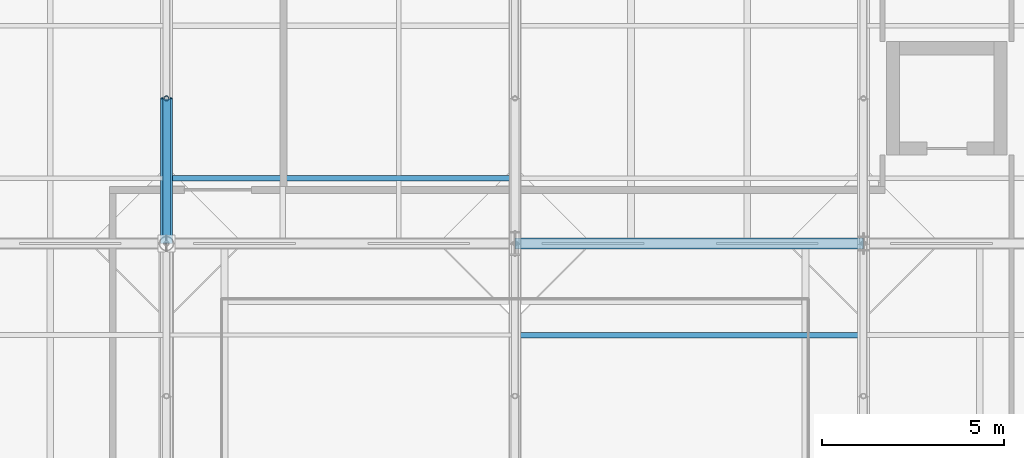
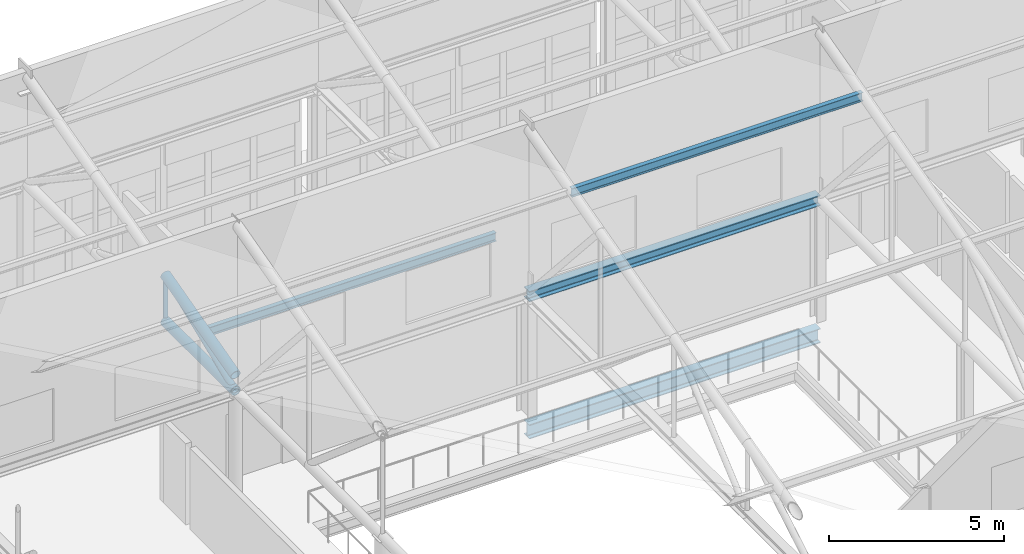
# One storey, part 37 of 89: 6 members, 2 beams.
"""IFC4 building model written with IfcOpenShell, lengths in metres."""

from ifc_helpers import new_model, si_unit, direction, frame, origin, origin_2d, place, context, subcontext, project, spatial, hollow_circle, i_section, extrude, material, material_profile, profile_set, type_object, element, save


model = new_model("IFC4")

# Units and contexts
model_context = context("Model", 3, precision=1e-05, world=origin(), true_north=direction((0.0, 1.0)))
body_context = subcontext(model_context, "Body", "Model", "MODEL_VIEW")
ifc_project = project(units=[si_unit("LENGTHUNIT", "METRE"), si_unit("AREAUNIT", "SQUARE_METRE"), si_unit("VOLUMEUNIT", "CUBIC_METRE"), si_unit("PLANEANGLEUNIT", "RADIAN"), si_unit("MASSUNIT", "GRAM", prefix="KILO")], contexts=[model_context])

# Site, building, storey
site_placement = place(None, origin())
site = spatial("IfcSite", under=ifc_project, at=site_placement, CompositionType="ELEMENT")
building_placement = place(site_placement, origin())
building = spatial("IfcBuilding", under=site, at=building_placement, Name="Zereglee Splitstone Museum", CompositionType="ELEMENT")
storey_placement = place(building_placement, frame((0.0, 0.0, 21.300048828125)))
storey = spatial("IfcBuildingStorey", under=building, at=storey_placement, Name="L04", CompositionType="ELEMENT", Elevation=21.300048828125)

# Members
ifc_material_1 = material(Name="Steel S355J2H", Category="steel")
ifc_material_profile_1 = material_profile(ifc_material_1, hollow_circle(Radius=0.109619140625, WallThickness=0.010009765625, at=origin_2d()), Name="CHS 219.1x10")
ifc_profile_set_1 = profile_set([ifc_material_profile_1], Name="Steel S355J2H")
member_type_1 = type_object("IfcMemberType", Name="TB-03", PredefinedType="BRACE", material=ifc_profile_set_1)
member_1_placement = place(storey_placement, frame((97.199951171875, 38.39990234375, 4.199951171875), z_axis=(0.0, 0.927136001435, 0.374725012299), x_axis=(-1.0, 0.0, 0.0)))
element("IfcMember", 1, at=member_1_placement, inside=storey, type_object=member_type_1, Name="Roof Truss ST-03 Diagonal 3.1", PredefinedType="BRACE", context=body_context, shape_type="SweptSolid", body=[
    extrude(hollow_circle(Radius=0.109619140625, WallThickness=0.010009765625, at=origin_2d()), origin(), (0.0, 0.0, 1.0), 4.314453125),
])
ifc_material_profile_2 = material_profile(ifc_material_1, hollow_circle(Radius=0.161865234375, WallThickness=0.01611328125, at=origin_2d()), Name="CHS 323.9x16")
ifc_profile_set_2 = profile_set([ifc_material_profile_2], Name="Steel S355J2H")
member_type_2 = type_object("IfcMemberType", Name="TC-05", PredefinedType="CHORD", material=ifc_profile_set_2)
member_2_placement = place(storey_placement, frame((97.199951171875, 38.39990234375, 4.199951171875), z_axis=(0.0, 1.0, 0.0), x_axis=(-1.0, 0.0, 0.0)))
element("IfcMember", 2, at=member_2_placement, inside=storey, type_object=member_type_2, Name="Roof Truss ST-03 Bottom Chord 3.1", PredefinedType="CHORD", context=body_context, shape_type="SweptSolid", body=[
    extrude(hollow_circle(Radius=0.161865234375, WallThickness=0.01611328125, at=origin_2d()), origin(), (0.0, 0.0, 1.0), 4.0),
])
member_3_placement = place(storey_placement, frame((97.199951171875, 38.39990234375, 4.75), z_axis=(0.0, 0.966235918422, 0.257658979955), x_axis=(-1.0, 0.0, 0.0)))
element("IfcMember", 3, at=member_3_placement, inside=storey, type_object=member_type_2, Name="Roof Truss ST-03 Top Chord 3.1", PredefinedType="CHORD", context=body_context, shape_type="SweptSolid", body=[
    extrude(hollow_circle(Radius=0.161865234375, WallThickness=0.01611328125, at=origin_2d()), origin(), (0.0, 0.0, 1.0), 4.139892578125),
])

# Beams
ifc_material_2 = material(Name="Steel S355J2", Category="steel")
ifc_material_profile_3 = material_profile(ifc_material_2, i_section(OverallWidth=0.300048828125, OverallDepth=0.360107421875, WebThickness=0.012451171875, FlangeThickness=0.0224609375, FilletRadius=0.027099609375, at=origin_2d()), Name="HE 360 B")
ifc_profile_set_3 = profile_set([ifc_material_profile_3], Name="Steel S355J2")
beam_type_1 = type_object("IfcBeamType", Name="BG-14", PredefinedType="BEAM", material=ifc_profile_set_3)
beam_1_placement = place(storey_placement, frame((106.800048828125, 38.39990234375, 4.199951171875), z_axis=(1.0, 0.0, 0.0), x_axis=(0.0, 1.0, 0.0)))
element("IfcBeam", 4, at=beam_1_placement, inside=storey, type_object=beam_type_1, Name="Sawtooth Monitor Sill Beam B4-S2", PredefinedType="BEAM", context=body_context, shape_type="SweptSolid", body=[
    extrude(i_section(OverallWidth=0.300048828125, OverallDepth=0.360107421875, WebThickness=0.012451171875, FlangeThickness=0.0224609375, FilletRadius=0.027099609375, at=origin_2d()), origin(), (0.0, 0.0, 1.0), 9.599853515625),
])
ifc_material_profile_4 = material_profile(ifc_material_2, i_section(OverallWidth=0.300048828125, OverallDepth=0.5, WebThickness=0.014404296875, FlangeThickness=0.028076171875, FilletRadius=0.027099609375, at=origin_2d()), Name="HE 500 B")
ifc_profile_set_4 = profile_set([ifc_material_profile_4], Name="Steel S355J2")
beam_type_2 = type_object("IfcBeamType", Name="BG-12", PredefinedType="BEAM", material=ifc_profile_set_4)
beam_2_placement = place(storey_placement, frame((106.800048828125, 38.39990234375, -0.510009765625), z_axis=(1.0, 0.0, 0.0), x_axis=(0.0, 1.0, 0.0)))
element("IfcBeam", 5, at=beam_2_placement, inside=storey, type_object=beam_type_2, Name="Primary Girder L04 E (106.8-116.4)", PredefinedType="BEAM", context=body_context, shape_type="SweptSolid", body=[
    extrude(i_section(OverallWidth=0.300048828125, OverallDepth=0.5, WebThickness=0.014404296875, FlangeThickness=0.028076171875, FilletRadius=0.027099609375, at=origin_2d()), origin(), (0.0, 0.0, 1.0), 9.599853515625),
])

# Members
ifc_material_profile_5 = material_profile(ifc_material_1, hollow_circle(Radius=0.06982421875, WallThickness=0.008056640625, at=origin_2d()), Name="CHS 139.7x8")
ifc_profile_set_5 = profile_set([ifc_material_profile_5], Name="Steel S355J2H")
member_type_3 = type_object("IfcMemberType", Name="TP-03", PredefinedType="POST", material=ifc_profile_set_5)
member_4_placement = place(storey_placement, frame((97.199951171875, 42.39990234375, 4.199951171875), z_axis=(0.0, 0.0, 1.0), x_axis=(1.0, 0.0, 0.0)))
element("IfcMember", 6, at=member_4_placement, inside=storey, type_object=member_type_3, Name="Roof Truss ST-03 Post 3.1", PredefinedType="POST", context=body_context, shape_type="SweptSolid", body=[
    extrude(hollow_circle(Radius=0.06982421875, WallThickness=0.008056640625, at=origin_2d()), origin(), (0.0, 0.0, 1.0), 1.61669921875),
])
ifc_material_profile_6 = material_profile(ifc_material_2, i_section(OverallWidth=0.14990234375, OverallDepth=0.300048828125, WebThickness=0.007080078125, FlangeThickness=0.0107421875, FilletRadius=0.014892578125, at=origin_2d()), Name="IPE 300")
ifc_profile_set_6 = profile_set([ifc_material_profile_6], Name="Steel S355J2")
member_type_4 = type_object("IfcMemberType", Name="PR-01", PredefinedType="PURLIN", material=ifc_profile_set_6)
member_5_placement = place(storey_placement, frame((97.199951171875, 40.199951171875, 5.153076171875), z_axis=(1.0, 0.0, 0.0), x_axis=(0.0, 1.0, 0.0)))
element("IfcMember", 7, at=member_5_placement, inside=storey, type_object=member_type_4, Name="Sawtooth Roof Purlin B3-S3-1", PredefinedType="PURLIN", context=body_context, shape_type="SweptSolid", body=[
    extrude(i_section(OverallWidth=0.14990234375, OverallDepth=0.300048828125, WebThickness=0.007080078125, FlangeThickness=0.0107421875, FilletRadius=0.014892578125, at=origin_2d()), origin(), (0.0, 0.0, 1.0), 9.60009765625),
])
member_6_placement = place(storey_placement, frame((106.800048828125, 35.8798828125, 9.298095703125), z_axis=(1.0, 0.0, 0.0), x_axis=(0.0, 1.0, 0.0)))
element("IfcMember", 8, at=member_6_placement, inside=storey, type_object=member_type_4, Name="Sawtooth Roof Purlin B4-S2-3", PredefinedType="PURLIN", context=body_context, shape_type="SweptSolid", body=[
    extrude(i_section(OverallWidth=0.14990234375, OverallDepth=0.300048828125, WebThickness=0.007080078125, FlangeThickness=0.0107421875, FilletRadius=0.014892578125, at=origin_2d()), origin(), (0.0, 0.0, 1.0), 9.599853515625),
])

save(model, "model.ifc")
